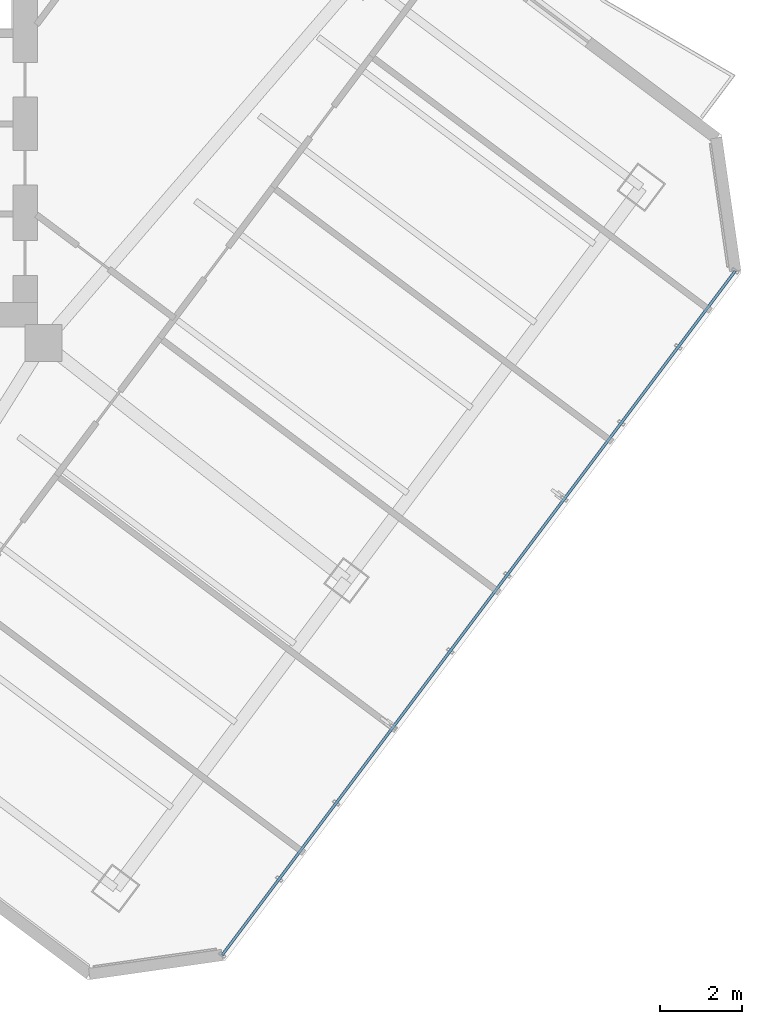
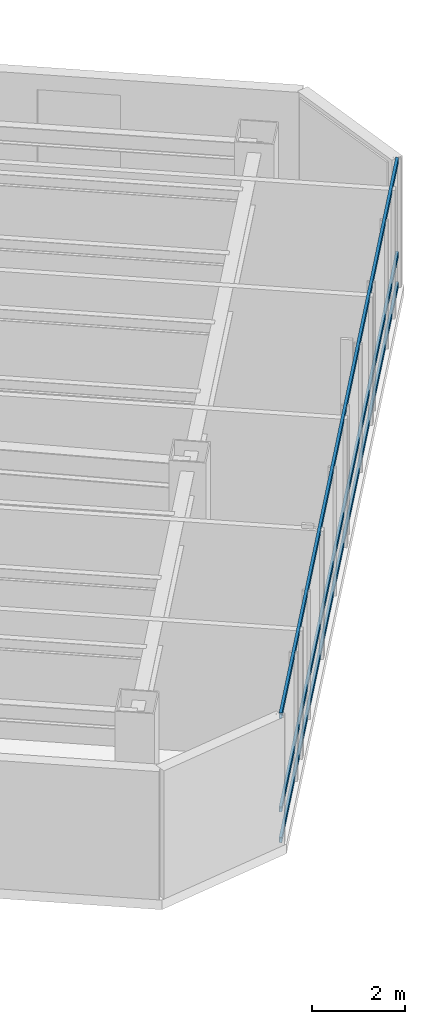
# One storey, part 12 of 29: 3 members, 1 element without a shape of its own.
"""IFC4 building model written with IfcOpenShell, lengths in metres."""

from ifc_helpers import new_model, si_unit, direction, frame, origin, origin_2d, place, context, subcontext, project, spatial, hollow_rectangle, extrude, material, layer, layer_set, material_profile, profile_set, type_object, element, aggregate, save


model = new_model("IFC4")

# Units and contexts
model_context = context("Model", 3, precision=1e-05, world=origin(), true_north=direction((0.0, 1.0)))
body_context = subcontext(model_context, "Body", "Model", "MODEL_VIEW")
ifc_project = project(units=[si_unit("LENGTHUNIT", "METRE"), si_unit("AREAUNIT", "SQUARE_METRE"), si_unit("VOLUMEUNIT", "CUBIC_METRE"), si_unit("PLANEANGLEUNIT", "RADIAN"), si_unit("MASSUNIT", "GRAM", prefix="KILO")], contexts=[model_context])

# Site, building, storey
site_placement = place(None, origin())
site = spatial("IfcSite", under=ifc_project, at=site_placement, CompositionType="ELEMENT")
building_placement = place(site_placement, origin())
building = spatial("IfcBuilding", under=site, at=building_placement, Name="Hatsunagi Terrace Concourse", CompositionType="ELEMENT")
storey_placement = place(building_placement, frame((0.0, 0.0, 149.25)))
storey = spatial("IfcBuildingStorey", under=building, at=storey_placement, Name="L39", CompositionType="ELEMENT", Elevation=149.25)

# Curtain wall, members
ifc_material_1 = material(Name="Anodised Aluminium Alloy 6063-T5", Category="aluminium")
ifc_layer = layer(ifc_material_1, 0.199951171875)
ifc_layer_set = layer_set([ifc_layer], Name="OfficeZone1_CW03")
curtain_wall_type = type_object("IfcCurtainWallType", Name="OfficeZone1_CW03", PredefinedType="NOTDEFINED", material=ifc_layer_set)
curtain_wall_placement = place(storey_placement, origin())
curtain_wall = element("IfcCurtainWall", 1, at=curtain_wall_placement, inside=storey, type_object=curtain_wall_type, Name="Unitised Curtain Wall CW-03 CW-L39-03", PredefinedType="NOTDEFINED")
ifc_material_2 = material(Name="Anodised Aluminium Alloy 6063-T5", Category="aluminium")
ifc_material_profile = material_profile(ifc_material_2, hollow_rectangle(XDim=0.06494140625, YDim=0.139892578125, WallThickness=0.00390625, at=origin_2d()), Name="ALU-TRN-140x65x4")
ifc_profile_set = profile_set([ifc_material_profile], Name="Anodised Aluminium Alloy 6063-T5")
member_type = type_object("IfcMemberType", Name="CurtainWallTransom_140x65", PredefinedType="USERDEFINED", material=ifc_profile_set)
member_1_placement = place(storey_placement, frame((60.693115234375, 25.9580078125, 0.050048828125), z_axis=(-0.599970072971, -0.800022444397, 0.0), x_axis=(0.800022444397, -0.599970072971, 0.0)))
member_1 = element("IfcMember", 2, at=member_1_placement, type_object=member_type, Name="Curtain Wall Transom TRN-02", ObjectType="TRANSOM", PredefinedType="USERDEFINED", context=body_context, shape_type="SweptSolid", body=[
    extrude(hollow_rectangle(XDim=0.06494140625, YDim=0.139892578125, WallThickness=0.00390625, at=origin_2d()), origin(), (0.0, 0.0, 1.0), 20.884521484375),
])
member_2_placement = place(storey_placement, frame((60.693115234375, 25.9580078125, 0.85009765625), z_axis=(-0.599970072971, -0.800022444397, 0.0), x_axis=(0.800022444397, -0.599970072971, 0.0)))
member_2 = element("IfcMember", 3, at=member_2_placement, type_object=member_type, Name="Curtain Wall Transom TRN-02", ObjectType="TRANSOM", PredefinedType="USERDEFINED", context=body_context, shape_type="SweptSolid", body=[
    extrude(hollow_rectangle(XDim=0.06494140625, YDim=0.139892578125, WallThickness=0.00390625, at=origin_2d()), origin(), (0.0, 0.0, 1.0), 20.884521484375),
])
member_3_placement = place(storey_placement, frame((60.693115234375, 25.9580078125, 3.300048828125), z_axis=(-0.599970072971, -0.800022444397, 0.0), x_axis=(0.800022444397, -0.599970072971, 0.0)))
member_3 = element("IfcMember", 4, at=member_3_placement, type_object=member_type, Name="Curtain Wall Transom TRN-02", ObjectType="TRANSOM", PredefinedType="USERDEFINED", context=body_context, shape_type="SweptSolid", body=[
    extrude(hollow_rectangle(XDim=0.06494140625, YDim=0.139892578125, WallThickness=0.00390625, at=origin_2d()), origin(), (0.0, 0.0, 1.0), 20.884521484375),
])
aggregate(curtain_wall, [member_1, member_2, member_3])

save(model, "model.ifc")
